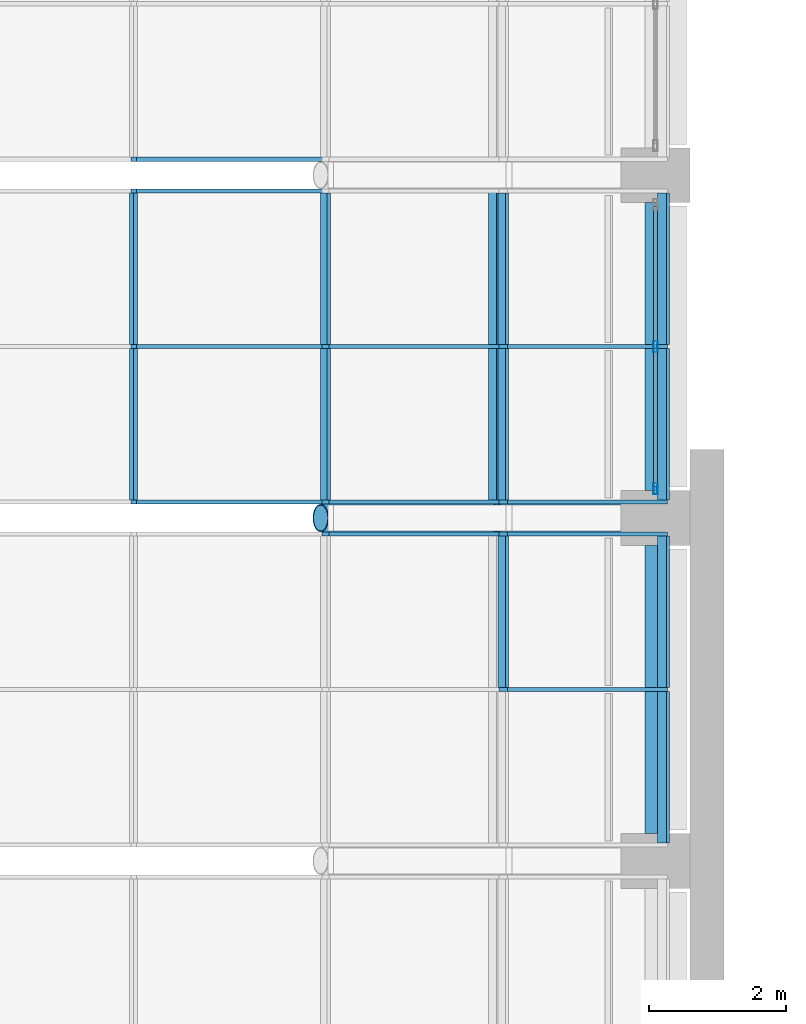
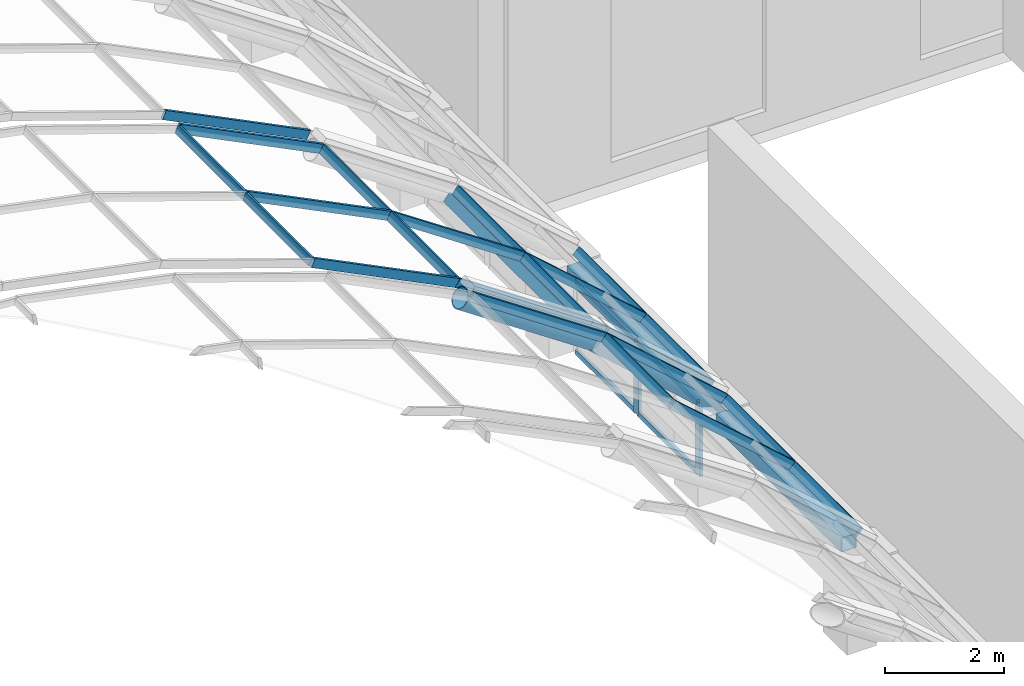
# One storey, part 56 of 182: 31 members, 2 beams, 4 elements without a shape of their own.
"""IFC4 building model written with IfcOpenShell, lengths in metres."""

from ifc_helpers import new_model, si_unit, direction, frame, origin, origin_2d, place, context, subcontext, project, spatial, rectangle, hollow_rectangle, hollow_circle, extrude, material, material_profile, profile_set, type_object, element, aggregate, save


model = new_model("IFC4")

# Units and contexts
model_context = context("Model", 3, precision=1e-05, world=origin(), true_north=direction((0.0, 1.0)))
body_context = subcontext(model_context, "Body", "Model", "MODEL_VIEW")
ifc_project = project(units=[si_unit("LENGTHUNIT", "METRE"), si_unit("AREAUNIT", "SQUARE_METRE"), si_unit("VOLUMEUNIT", "CUBIC_METRE"), si_unit("PLANEANGLEUNIT", "RADIAN"), si_unit("MASSUNIT", "GRAM", prefix="KILO")], contexts=[model_context])

# Site, building, storey
site_placement = place(None, origin())
site = spatial("IfcSite", under=ifc_project, at=site_placement, CompositionType="ELEMENT")
building_placement = place(site_placement, origin())
building = spatial("IfcBuilding", under=site, at=building_placement, Name="Okhra Congress Centre", CompositionType="ELEMENT")
storey_placement = place(building_placement, frame((0.0, 0.0, 7.199951171875)))
storey = spatial("IfcBuildingStorey", under=building, at=storey_placement, Name="L01", CompositionType="ELEMENT", Elevation=7.199951171875)

# Curtain wall, members
ifc_material_1 = material(Name="Aluminium frame with triple glazing", Category="aluminium")
curtain_wall_type_1 = type_object("IfcCurtainWallType", Name="Glazed vault bay curtain wall", PredefinedType="NOTDEFINED", material=ifc_material_1)
curtain_wall_1_placement = place(storey_placement, origin())
curtain_wall_1 = element("IfcCurtainWall", 1, at=curtain_wall_1_placement, inside=storey, type_object=curtain_wall_type_1, Name="Vault glazing bay 13", PredefinedType="NOTDEFINED")
ifc_material_2 = material(Name="Aluminium alloy 6063", Category="aluminium")
ifc_material_profile_1 = material_profile(ifc_material_2, rectangle(XDim=0.06005859375, YDim=0.179931640625, at=origin_2d()), Name="AL 60x180")
ifc_profile_set_1 = profile_set([ifc_material_profile_1], Name="Aluminium alloy 6063")
member_type_1 = type_object("IfcMemberType", Name="Aluminium mullion 60x180", PredefinedType="MULLION", material=ifc_profile_set_1)
member_1_placement = place(storey_placement, frame((186.779296875, 138.5, 3.990478515625), z_axis=(0.748025229923, 0.0, -0.663670291183), x_axis=(0.0, 1.0, 0.0)))
member_1 = element("IfcMember", 2, at=member_1_placement, type_object=member_type_1, Name="Vault mullion 13.2.12", PredefinedType="MULLION", context=body_context, shape_type="SweptSolid", body=[
    extrude(rectangle(XDim=0.06005859375, YDim=0.179931640625, at=origin_2d()), origin(), (0.0, 0.0, 1.0), 3.125732421875),
])
member_2_placement = place(storey_placement, frame((184.188720703125, 140.766845703125, 5.7392578125), z_axis=(0.828827846338, 0.0, -0.559503709671), x_axis=(0.0, 1.0, 0.0)))
member_2 = element("IfcMember", 3, at=member_2_placement, type_object=member_type_1, Name="Vault mullion 13.3.11", PredefinedType="MULLION", context=body_context, shape_type="SweptSolid", body=[
    extrude(rectangle(XDim=0.06005859375, YDim=0.179931640625, at=origin_2d()), origin(), (0.0, 0.0, 1.0), 3.12548828125),
])
member_3_placement = place(storey_placement, frame((186.779296875, 140.766845703125, 3.990478515625), z_axis=(0.748025229923, 0.0, -0.663670291183), x_axis=(0.0, 1.0, 0.0)))
member_3 = element("IfcMember", 4, at=member_3_placement, type_object=member_type_1, Name="Vault mullion 13.3.12", PredefinedType="MULLION", context=body_context, shape_type="SweptSolid", body=[
    extrude(rectangle(XDim=0.06005859375, YDim=0.179931640625, at=origin_2d()), origin(), (0.0, 0.0, 1.0), 3.125732421875),
])

curtain_wall_2_placement = place(storey_placement, origin())
curtain_wall_2 = element("IfcCurtainWall", 5, at=curtain_wall_2_placement, inside=storey, type_object=curtain_wall_type_1, Name="Vault glazing bay 14", PredefinedType="NOTDEFINED")
member_4_placement = place(storey_placement, frame((181.390625, 141.233154296875, 7.1318359375), z_axis=(0.895253656313, 0.0, -0.445556832354), x_axis=(0.0, 1.0, 0.0)))
member_4 = element("IfcMember", 6, at=member_4_placement, type_object=member_type_1, Name="Vault mullion 14.1.10", PredefinedType="MULLION", context=body_context, shape_type="SweptSolid", body=[
    extrude(rectangle(XDim=0.06005859375, YDim=0.179931640625, at=origin_2d()), origin(), (0.0, 0.0, 1.0), 3.12548828125),
])
member_5_placement = place(storey_placement, frame((184.188720703125, 141.233154296875, 5.7392578125), z_axis=(0.828827846338, 0.0, -0.559503709671), x_axis=(0.0, 1.0, 0.0)))
member_5 = element("IfcMember", 7, at=member_5_placement, type_object=member_type_1, Name="Vault mullion 14.1.11", PredefinedType="MULLION", context=body_context, shape_type="SweptSolid", body=[
    extrude(rectangle(XDim=0.06005859375, YDim=0.179931640625, at=origin_2d()), origin(), (0.0, 0.0, 1.0), 3.12548828125),
])
member_6_placement = place(storey_placement, frame((186.779296875, 141.233154296875, 3.990478515625), z_axis=(0.748025229923, 0.0, -0.663670291183), x_axis=(0.0, 1.0, 0.0)))
member_6 = element("IfcMember", 8, at=member_6_placement, type_object=member_type_1, Name="Vault mullion 14.1.12", PredefinedType="MULLION", context=body_context, shape_type="SweptSolid", body=[
    extrude(rectangle(XDim=0.06005859375, YDim=0.179931640625, at=origin_2d()), origin(), (0.0, 0.0, 1.0), 3.125732421875),
])
member_7_placement = place(storey_placement, frame((181.390625, 143.5, 7.1318359375), z_axis=(0.895253656313, 0.0, -0.445556832354), x_axis=(0.0, 1.0, 0.0)))
member_7 = element("IfcMember", 9, at=member_7_placement, type_object=member_type_1, Name="Vault mullion 14.2.10", PredefinedType="MULLION", context=body_context, shape_type="SweptSolid", body=[
    extrude(rectangle(XDim=0.06005859375, YDim=0.179931640625, at=origin_2d()), origin(), (0.0, 0.0, 1.0), 3.12548828125),
])
member_8_placement = place(storey_placement, frame((184.188720703125, 143.5, 5.7392578125), z_axis=(0.828827846338, 0.0, -0.559503709671), x_axis=(0.0, 1.0, 0.0)))
member_8 = element("IfcMember", 10, at=member_8_placement, type_object=member_type_1, Name="Vault mullion 14.2.11", PredefinedType="MULLION", context=body_context, shape_type="SweptSolid", body=[
    extrude(rectangle(XDim=0.06005859375, YDim=0.179931640625, at=origin_2d()), origin(), (0.0, 0.0, 1.0), 3.12548828125),
])
member_9_placement = place(storey_placement, frame((186.779296875, 143.5, 3.990478515625), z_axis=(0.748025229923, 0.0, -0.663670291183), x_axis=(0.0, 1.0, 0.0)))
member_9 = element("IfcMember", 11, at=member_9_placement, type_object=member_type_1, Name="Vault mullion 14.2.12", PredefinedType="MULLION", context=body_context, shape_type="SweptSolid", body=[
    extrude(rectangle(XDim=0.06005859375, YDim=0.179931640625, at=origin_2d()), origin(), (0.0, 0.0, 1.0), 3.125732421875),
])
member_10_placement = place(storey_placement, frame((181.390625, 145.766845703125, 7.1318359375), z_axis=(0.895253656313, 0.0, -0.445556832354), x_axis=(0.0, 1.0, 0.0)))
member_10 = element("IfcMember", 12, at=member_10_placement, type_object=member_type_1, Name="Vault mullion 14.3.10", PredefinedType="MULLION", context=body_context, shape_type="SweptSolid", body=[
    extrude(rectangle(XDim=0.06005859375, YDim=0.179931640625, at=origin_2d()), origin(), (0.0, 0.0, 1.0), 3.12548828125),
])

# Curtain wall, member
curtain_wall_3_placement = place(storey_placement, origin())
curtain_wall_3 = element("IfcCurtainWall", 13, at=curtain_wall_3_placement, inside=storey, type_object=curtain_wall_type_1, Name="Vault glazing bay 15", PredefinedType="NOTDEFINED")
member_11_placement = place(storey_placement, frame((181.390625, 146.233154296875, 7.1318359375), z_axis=(0.895253656313, 0.0, -0.445556832354), x_axis=(0.0, 1.0, 0.0)))
member_11 = element("IfcMember", 14, at=member_11_placement, type_object=member_type_1, Name="Vault mullion 15.1.10", PredefinedType="MULLION", context=body_context, shape_type="SweptSolid", body=[
    extrude(rectangle(XDim=0.06005859375, YDim=0.179931640625, at=origin_2d()), origin(), (0.0, 0.0, 1.0), 3.12548828125),
])
aggregate(curtain_wall_3, [member_11])

# Member
ifc_material_profile_2 = material_profile(ifc_material_2, rectangle(XDim=0.06005859375, YDim=0.159912109375, at=origin_2d()), Name="AL 60x160 transom")
ifc_profile_set_2 = profile_set([ifc_material_profile_2], Name="Aluminium alloy 6063")
member_type_2 = type_object("IfcMemberType", Name="Aluminium transom 60x160", PredefinedType="USERDEFINED", material=ifc_profile_set_2)
member_12_placement = place(storey_placement, frame((181.38671875, 141.26318359375, 7.12255859375), z_axis=(0.0, 1.0, 0.0), x_axis=(-0.922668973833, 0.0, 0.38559300399)))
member_12 = element("IfcMember", 15, at=member_12_placement, type_object=member_type_2, Name="Vault transom 14.1.10", ObjectType="TRANSOM", PredefinedType="USERDEFINED", context=body_context, shape_type="SweptSolid", body=[
    extrude(rectangle(XDim=0.06005859375, YDim=0.159912109375, at=origin_2d()), origin(), (0.0, 0.0, 1.0), 2.206787109375),
])

member_13_placement = place(storey_placement, frame((181.38671875, 143.530029296875, 7.12255859375), z_axis=(0.0, 1.0, 0.0), x_axis=(-0.922668973833, 0.0, 0.38559300399)))
member_13 = element("IfcMember", 16, at=member_13_placement, type_object=member_type_2, Name="Vault transom 14.2.10", ObjectType="TRANSOM", PredefinedType="USERDEFINED", context=body_context, shape_type="SweptSolid", body=[
    extrude(rectangle(XDim=0.06005859375, YDim=0.159912109375, at=origin_2d()), origin(), (0.0, 0.0, 1.0), 2.206787109375),
])

ifc_material_profile_3 = material_profile(ifc_material_2, rectangle(XDim=0.06005859375, YDim=0.179931640625, at=origin_2d()), Name="AL 60x180 transom")
ifc_profile_set_3 = profile_set([ifc_material_profile_3], Name="Aluminium alloy 6063")
member_type_3 = type_object("IfcMemberType", Name="Aluminium transom 60x180", PredefinedType="USERDEFINED", material=ifc_profile_set_3)
member_14_placement = place(storey_placement, frame((189.117431640625, 136.26318359375, 1.916015625), z_axis=(0.0, 1.0, 0.0), x_axis=(-0.702636070549, 0.0, 0.711549402616)))
member_14 = element("IfcMember", 17, at=member_14_placement, type_object=member_type_3, Name="Vault transom 13.1.13", ObjectType="TRANSOM", PredefinedType="USERDEFINED", context=body_context, shape_type="SweptSolid", body=[
    extrude(rectangle(XDim=0.06005859375, YDim=0.179931640625, at=origin_2d()), origin(), (0.0, 0.0, 1.0), 2.206787109375),
])

member_15_placement = place(storey_placement, frame((186.779296875, 138.530029296875, 3.990478515625), z_axis=(0.0, 1.0, 0.0), x_axis=(-0.790145035185, 0.0, 0.612919915954)))
member_15 = element("IfcMember", 18, at=member_15_placement, type_object=member_type_3, Name="Vault transom 13.2.12", ObjectType="TRANSOM", PredefinedType="USERDEFINED", context=body_context, shape_type="SweptSolid", body=[
    extrude(rectangle(XDim=0.06005859375, YDim=0.179931640625, at=origin_2d()), origin(), (0.0, 0.0, 1.0), 2.206787109375),
])

member_16_placement = place(storey_placement, frame((189.117431640625, 138.530029296875, 1.916015625), z_axis=(0.0, 1.0, 0.0), x_axis=(-0.702636070549, 0.0, 0.711549402616)))
member_16 = element("IfcMember", 19, at=member_16_placement, type_object=member_type_3, Name="Vault transom 13.2.13", ObjectType="TRANSOM", PredefinedType="USERDEFINED", context=body_context, shape_type="SweptSolid", body=[
    extrude(rectangle(XDim=0.06005859375, YDim=0.179931640625, at=origin_2d()), origin(), (0.0, 0.0, 1.0), 2.206787109375),
])

aggregate(curtain_wall_1, [member_1, member_2, member_3, member_14, member_15, member_16])

member_17_placement = place(storey_placement, frame((184.188720703125, 141.26318359375, 5.7392578125), z_axis=(0.0, 1.0, 0.0), x_axis=(-0.86391685861, 0.0, 0.503634452167)))
member_17 = element("IfcMember", 20, at=member_17_placement, type_object=member_type_3, Name="Vault transom 14.1.11", ObjectType="TRANSOM", PredefinedType="USERDEFINED", context=body_context, shape_type="SweptSolid", body=[
    extrude(rectangle(XDim=0.06005859375, YDim=0.179931640625, at=origin_2d()), origin(), (0.0, 0.0, 1.0), 2.206787109375),
])

member_18_placement = place(storey_placement, frame((186.779296875, 141.26318359375, 3.990478515625), z_axis=(0.0, 1.0, 0.0), x_axis=(-0.790145035185, 0.0, 0.612919915954)))
member_18 = element("IfcMember", 21, at=member_18_placement, type_object=member_type_3, Name="Vault transom 14.1.12", ObjectType="TRANSOM", PredefinedType="USERDEFINED", context=body_context, shape_type="SweptSolid", body=[
    extrude(rectangle(XDim=0.06005859375, YDim=0.179931640625, at=origin_2d()), origin(), (0.0, 0.0, 1.0), 2.206787109375),
])

member_19_placement = place(storey_placement, frame((189.117431640625, 141.26318359375, 1.916015625), z_axis=(0.0, 1.0, 0.0), x_axis=(-0.702636070549, 0.0, 0.711549402616)))
member_19 = element("IfcMember", 22, at=member_19_placement, type_object=member_type_3, Name="Vault transom 14.1.13", ObjectType="TRANSOM", PredefinedType="USERDEFINED", context=body_context, shape_type="SweptSolid", body=[
    extrude(rectangle(XDim=0.06005859375, YDim=0.179931640625, at=origin_2d()), origin(), (0.0, 0.0, 1.0), 2.206787109375),
])

member_20_placement = place(storey_placement, frame((184.188720703125, 143.530029296875, 5.7392578125), z_axis=(0.0, 1.0, 0.0), x_axis=(-0.86391685861, 0.0, 0.503634452167)))
member_20 = element("IfcMember", 23, at=member_20_placement, type_object=member_type_3, Name="Vault transom 14.2.11", ObjectType="TRANSOM", PredefinedType="USERDEFINED", context=body_context, shape_type="SweptSolid", body=[
    extrude(rectangle(XDim=0.06005859375, YDim=0.179931640625, at=origin_2d()), origin(), (0.0, 0.0, 1.0), 2.206787109375),
])

member_21_placement = place(storey_placement, frame((186.779296875, 143.530029296875, 3.990478515625), z_axis=(0.0, 1.0, 0.0), x_axis=(-0.790145035185, 0.0, 0.612919915954)))
member_21 = element("IfcMember", 24, at=member_21_placement, type_object=member_type_3, Name="Vault transom 14.2.12", ObjectType="TRANSOM", PredefinedType="USERDEFINED", context=body_context, shape_type="SweptSolid", body=[
    extrude(rectangle(XDim=0.06005859375, YDim=0.179931640625, at=origin_2d()), origin(), (0.0, 0.0, 1.0), 2.206787109375),
])

member_22_placement = place(storey_placement, frame((189.117431640625, 143.530029296875, 1.916015625), z_axis=(0.0, 1.0, 0.0), x_axis=(-0.702636070549, 0.0, 0.711549402616)))
member_22 = element("IfcMember", 25, at=member_22_placement, type_object=member_type_3, Name="Vault transom 14.2.13", ObjectType="TRANSOM", PredefinedType="USERDEFINED", context=body_context, shape_type="SweptSolid", body=[
    extrude(rectangle(XDim=0.06005859375, YDim=0.179931640625, at=origin_2d()), origin(), (0.0, 0.0, 1.0), 2.206787109375),
])

aggregate(curtain_wall_2, [member_4, member_5, member_6, member_7, member_8, member_9, member_10, member_12, member_17, member_18, member_19, member_13, member_20, member_21, member_22])

# Curtain wall, members
ifc_material_3 = material(Name="Aluminium curtain wall, triple glazing", Category="aluminium")
curtain_wall_type_2 = type_object("IfcCurtainWallType", Name="Curtain wall 2100 module", PredefinedType="NOTDEFINED", material=ifc_material_3)
curtain_wall_4_placement = place(storey_placement, origin())
curtain_wall_4 = element("IfcCurtainWall", 26, at=curtain_wall_4_placement, inside=storey, type_object=curtain_wall_type_2, Name="East bay 5 clerestory glazing", PredefinedType="NOTDEFINED")
ifc_material_4 = material(Name="Aluminium alloy EN AW-6063 T66", Category="aluminium")
ifc_material_profile_4 = material_profile(ifc_material_4, hollow_rectangle(XDim=0.06005859375, YDim=0.159912109375, WallThickness=0.00390625, at=origin_2d()), Name="RHS 60x160x4")
ifc_profile_set_4 = profile_set([ifc_material_profile_4], Name="Aluminium alloy EN AW-6063 T66")
member_type_4 = type_object("IfcMemberType", Name="Curtain wall mullion 60x160", PredefinedType="MULLION", material=ifc_profile_set_4)
member_23_placement = place(storey_placement, frame((189.0, 141.429931640625, 0.0), z_axis=(0.0, 0.0, 1.0), x_axis=(-1.0, 0.0, 0.0)))
member_23 = element("IfcMember", 27, at=member_23_placement, type_object=member_type_4, Name="CW4 mullion 1", PredefinedType="MULLION", context=body_context, shape_type="SweptSolid", body=[
    extrude(hollow_rectangle(XDim=0.06005859375, YDim=0.159912109375, WallThickness=0.00390625, at=origin_2d()), origin(), (0.0, 0.0, 1.0), 1.5),
])
member_24_placement = place(storey_placement, frame((189.0, 143.5, 0.0), z_axis=(0.0, 0.0, 1.0), x_axis=(-1.0, 0.0, 0.0)))
member_24 = element("IfcMember", 28, at=member_24_placement, type_object=member_type_4, Name="CW4 mullion 2", PredefinedType="MULLION", context=body_context, shape_type="SweptSolid", body=[
    extrude(hollow_rectangle(XDim=0.06005859375, YDim=0.159912109375, WallThickness=0.00390625, at=origin_2d()), origin(), (0.0, 0.0, 1.0), 1.5),
])
ifc_material_profile_5 = material_profile(ifc_material_4, hollow_rectangle(XDim=0.06005859375, YDim=0.10009765625, WallThickness=0.00390625, at=origin_2d()), Name="RHS 60x100x4")
ifc_profile_set_5 = profile_set([ifc_material_profile_5], Name="Aluminium alloy EN AW-6063 T66")
member_type_5 = type_object("IfcMemberType", Name="Curtain wall transom 60x100", PredefinedType="USERDEFINED", material=ifc_profile_set_5)
member_25_placement = place(storey_placement, frame((189.0, 141.4599609375, 0.030029296875), z_axis=(0.0, 1.0, 0.0), x_axis=(-1.0, 0.0, 0.0)))
member_25 = element("IfcMember", 29, at=member_25_placement, type_object=member_type_5, Name="CW4 transom 1.1", ObjectType="TRANSOM", PredefinedType="USERDEFINED", context=body_context, shape_type="SweptSolid", body=[
    extrude(hollow_rectangle(XDim=0.06005859375, YDim=0.10009765625, WallThickness=0.00390625, at=origin_2d()), origin(), (0.0, 0.0, 1.0), 2.010009765625),
])
member_26_placement = place(storey_placement, frame((189.0, 141.4599609375, 1.469970703125), z_axis=(0.0, 1.0, 0.0), x_axis=(-1.0, 0.0, 0.0)))
member_26 = element("IfcMember", 30, at=member_26_placement, type_object=member_type_5, Name="CW4 transom 1.2", ObjectType="TRANSOM", PredefinedType="USERDEFINED", context=body_context, shape_type="SweptSolid", body=[
    extrude(hollow_rectangle(XDim=0.06005859375, YDim=0.10009765625, WallThickness=0.00390625, at=origin_2d()), origin(), (0.0, 0.0, 1.0), 2.010009765625),
])
member_27_placement = place(storey_placement, frame((189.0, 143.530029296875, 0.030029296875), z_axis=(0.0, 1.0, 0.0), x_axis=(-1.0, 0.0, 0.0)))
member_27 = element("IfcMember", 31, at=member_27_placement, type_object=member_type_5, Name="CW4 transom 2.1", ObjectType="TRANSOM", PredefinedType="USERDEFINED", context=body_context, shape_type="SweptSolid", body=[
    extrude(hollow_rectangle(XDim=0.06005859375, YDim=0.10009765625, WallThickness=0.00390625, at=origin_2d()), origin(), (0.0, 0.0, 1.0), 2.010009765625),
])
member_28_placement = place(storey_placement, frame((189.0, 143.530029296875, 1.469970703125), z_axis=(0.0, 1.0, 0.0), x_axis=(-1.0, 0.0, 0.0)))
member_28 = element("IfcMember", 32, at=member_28_placement, type_object=member_type_5, Name="CW4 transom 2.2", ObjectType="TRANSOM", PredefinedType="USERDEFINED", context=body_context, shape_type="SweptSolid", body=[
    extrude(hollow_rectangle(XDim=0.06005859375, YDim=0.10009765625, WallThickness=0.00390625, at=origin_2d()), origin(), (0.0, 0.0, 1.0), 2.010009765625),
])
aggregate(curtain_wall_4, [member_23, member_24, member_25, member_26, member_27, member_28])

# Beams
ifc_material_5 = material(Name="Steel S355J2", Category="steel")
ifc_material_profile_6 = material_profile(ifc_material_5, hollow_rectangle(XDim=0.300048828125, YDim=0.300048828125, WallThickness=0.012451171875, at=origin_2d()), Name="RHS 300x300x12.5")
ifc_profile_set_6 = profile_set([ifc_material_profile_6], Name="Steel S355J2")
beam_type = type_object("IfcBeamType", Name="Steel eaves beam RHS 300x300x12.5", PredefinedType="BEAM", material=ifc_profile_set_6)
for number, where, z_axis, x_axis, name in (
    (33, (189.0, 136.39990234375, 1.650146484375), (0.0, 1.0, 0.0), (-1.0, 0.0, 0.0), "Eaves beam E13"),
    (34, (189.0, 141.39990234375, 1.650146484375), (0.0, 1.0, 0.0), (-1.0, 0.0, 0.0), "Eaves beam E14"),
):
    element("IfcBeam", number, at=place(storey_placement, frame(where, z_axis=z_axis, x_axis=x_axis)), inside=storey, type_object=beam_type, Name=name, PredefinedType="BEAM", context=body_context, shape_type="SweptSolid", body=[
        extrude(hollow_rectangle(XDim=0.300048828125, YDim=0.300048828125, WallThickness=0.012451171875, at=origin_2d()), origin(), (0.0, 0.0, 1.0), 4.2001953125),
    ])

# Members
ifc_material_profile_7 = material_profile(ifc_material_5, hollow_rectangle(XDim=0.10009765625, YDim=0.199951171875, WallThickness=0.008056640625, at=origin_2d()), Name="RHS 200x100x8")
ifc_profile_set_7 = profile_set([ifc_material_profile_7], Name="Steel S355J2")
member_type_6 = type_object("IfcMemberType", Name="Steel purlin RHS 200x100x8", PredefinedType="PURLIN", material=ifc_profile_set_7)
member_29_placement = place(storey_placement, frame((186.662841796875, 141.203125, 3.84033203125), z_axis=(0.0, 1.0, 0.0), x_axis=(-0.790145035185, 0.0, 0.612919915954)))
element("IfcMember", 35, at=member_29_placement, inside=storey, type_object=member_type_6, Name="Vault purlin 14.11", PredefinedType="PURLIN", context=body_context, shape_type="SweptSolid", body=[
    extrude(hollow_rectangle(XDim=0.10009765625, YDim=0.199951171875, WallThickness=0.008056640625, at=origin_2d()), origin(), (0.0, 0.0, 1.0), 4.59375),
])
ifc_material_profile_8 = material_profile(ifc_material_5, hollow_circle(Radius=0.203125, WallThickness=0.01611328125, at=origin_2d()), Name="CHS 406.4x16")
ifc_profile_set_8 = profile_set([ifc_material_profile_8], Name="Steel S355J2")
member_type_7 = type_object("IfcMemberType", Name="Tubular steel arch rib CHS 406x16", PredefinedType="USERDEFINED", material=ifc_profile_set_8)
member_30_placement = place(storey_placement, frame((184.116943359375, 141.0, 5.589111328125), z_axis=(0.82882567543, 0.0, -0.559506925558), x_axis=(0.0, 1.0, 0.0)))
element("IfcMember", 36, at=member_30_placement, inside=storey, type_object=member_type_7, Name="Arch rib 14.11", ObjectType="Arch rib", PredefinedType="USERDEFINED", context=body_context, shape_type="SweptSolid", body=[
    extrude(hollow_circle(Radius=0.203125, WallThickness=0.01611328125, at=origin_2d()), origin(), (0.0, 0.0, 1.0), 3.07666015625),
])
member_31_placement = place(storey_placement, frame((186.6884765625, 141.0, 3.85107421875), z_axis=(0.74799336374, 0.0, -0.663706205938), x_axis=(0.0, 1.0, 0.0)))
element("IfcMember", 37, at=member_31_placement, inside=storey, type_object=member_type_7, Name="Arch rib 14.12", ObjectType="Arch rib", PredefinedType="USERDEFINED", context=body_context, shape_type="SweptSolid", body=[
    extrude(hollow_circle(Radius=0.203125, WallThickness=0.01611328125, at=origin_2d()), origin(), (0.0, 0.0, 1.0), 3.3193359375),
])

save(model, "model.ifc")
